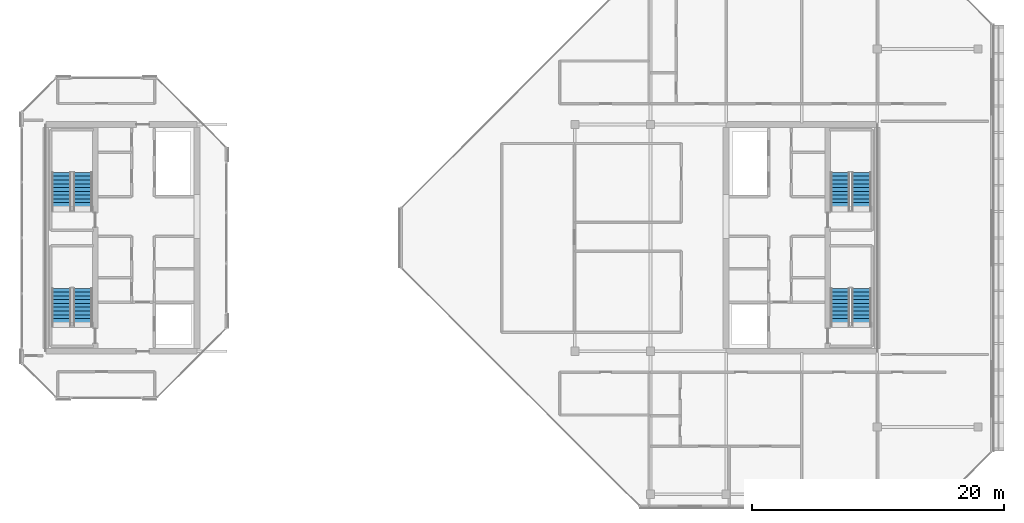
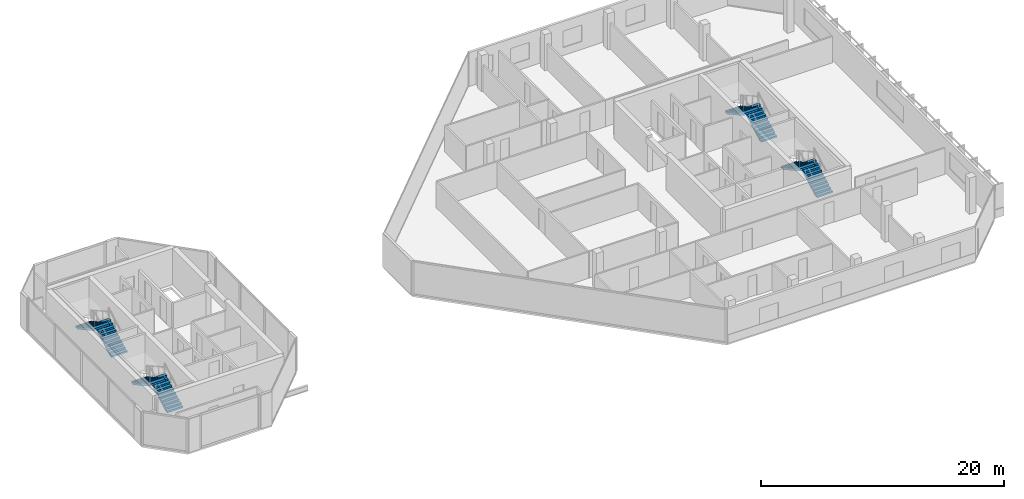
# One storey, part 25 of 28: 8 stair flights, 4 elements without a shape of their own.
"""IFC4 building model written with IfcOpenShell, lengths in metres."""

from ifc_helpers import new_model, si_unit, direction, frame, origin, place, context, subcontext, project, spatial, polyline, outline, extrude, material, type_object, element, aggregate, save


model = new_model("IFC4")

# Units and contexts
model_context = context("Model", 3, precision=1e-05, world=origin(), true_north=direction((0.0, 1.0)))
body_context = subcontext(model_context, "Body", "Model", "MODEL_VIEW")
ifc_project = project(units=[si_unit("LENGTHUNIT", "METRE"), si_unit("AREAUNIT", "SQUARE_METRE"), si_unit("VOLUMEUNIT", "CUBIC_METRE"), si_unit("PLANEANGLEUNIT", "RADIAN"), si_unit("MASSUNIT", "GRAM", prefix="KILO")], contexts=[model_context])

# Site, building, storey
site_placement = place(None, origin())
site = spatial("IfcSite", under=ifc_project, at=site_placement, CompositionType="ELEMENT")
building_placement = place(site_placement, origin())
building = spatial("IfcBuilding", under=site, at=building_placement, Name="Tanjung Sevakor Pilgrim Tower", CompositionType="ELEMENT")
storey_placement = place(building_placement, frame((0.0, 0.0, 246.179931640625)))
storey = spatial("IfcBuildingStorey", under=building, at=storey_placement, Name="L69", CompositionType="ELEMENT", Elevation=246.179931640625)

# Stair, stair flights
ifc_material_1 = material(Name="Concrete C40/50", Category="concrete")
stair_type = type_object("IfcStairType", Name="STAIR-ST-CR150", PredefinedType="HALF_TURN_STAIR", material=ifc_material_1)
stair_1_placement = place(storey_placement, origin())
stair_1 = element("IfcStair", 1, at=stair_1_placement, inside=storey, type_object=stair_type, Name="L69 West Core Exit Stair 1", PredefinedType="HALF_TURN_STAIR")
ifc_material_2 = material(Name="Concrete C40/50", Category="concrete")
stair_flight_type = type_object("IfcStairFlightType", Name="FLIGHT-ST-CR150", PredefinedType="STRAIGHT", material=ifc_material_2)
stair_flight_1_placement = place(storey_placement, frame((26.949951171875, 26.60009765625, 0.0), z_axis=(0.0, 0.0, 1.0), x_axis=(0.0, 1.0, 0.0)))
stair_flight_1 = element("IfcStairFlight", 2, at=stair_flight_1_placement, type_object=stair_flight_type, Name="TS-W1 flight 1", NumberOfRisers=11, NumberOfTreads=10, PredefinedType="STRAIGHT", RiserHeight=0.165, TreadLength=0.3, context=body_context, shape_type="SweptSolid", body=[
    extrude(outline(polyline([(0.0, 0.0), (0.0, 0.1650390625), (0.300048828125, 0.1650390625), (0.300048828125, 0.330078125), (0.60009765625, 0.330078125), (0.60009765625, 0.4951171875), (0.89990234375, 0.4951171875), (0.89990234375, 0.659912109375), (1.199951171875, 0.659912109375), (1.199951171875, 0.824951171875), (1.5, 0.824951171875), (1.5, 0.989990234375), (1.800048828125, 0.989990234375), (1.800048828125, 1.155029296875), (2.10009765625, 1.155029296875), (2.10009765625, 1.320068359375), (2.39990234375, 1.320068359375), (2.39990234375, 1.485107421875), (2.699951171875, 1.485107421875), (2.699951171875, 1.64990234375), (3.0, 1.64990234375), (3.0, 1.81494140625), (3.0, 1.467529296875), (0.331787109375, 0.0), (0.0, 0.0)])), frame((0.0, 0.75, 0.0), z_axis=(0.0, -1.0, 0.0), x_axis=(1.0, 0.0, 0.0)), (0.0, 0.0, 1.0), 1.5),
])
stair_flight_2_placement = place(storey_placement, frame((25.25, 29.60009765625, 1.815185546875), z_axis=(0.0, 0.0, 1.0), x_axis=(0.0, -1.0, 0.0)))
stair_flight_2 = element("IfcStairFlight", 3, at=stair_flight_2_placement, type_object=stair_flight_type, Name="TS-W1 flight 2", NumberOfRisers=11, NumberOfTreads=10, PredefinedType="STRAIGHT", RiserHeight=0.165, TreadLength=0.3, context=body_context, shape_type="SweptSolid", body=[
    extrude(outline(polyline([(0.0, 0.0), (0.0, 0.1650390625), (0.300048828125, 0.1650390625), (0.300048828125, 0.330078125), (0.60009765625, 0.330078125), (0.60009765625, 0.4951171875), (0.89990234375, 0.4951171875), (0.89990234375, 0.659912109375), (1.199951171875, 0.659912109375), (1.199951171875, 0.824951171875), (1.5, 0.824951171875), (1.5, 0.989990234375), (1.800048828125, 0.989990234375), (1.800048828125, 1.155029296875), (2.10009765625, 1.155029296875), (2.10009765625, 1.320068359375), (2.39990234375, 1.320068359375), (2.39990234375, 1.485107421875), (2.699951171875, 1.485107421875), (2.699951171875, 1.64990234375), (3.0, 1.64990234375), (3.0, 1.81494140625), (3.0, 1.467529296875), (0.331787109375, 0.0), (0.0, 0.0)])), frame((0.0, 0.75, 0.0), z_axis=(0.0, -1.0, 0.0), x_axis=(1.0, 0.0, 0.0)), (0.0, 0.0, 1.0), 1.5),
])
aggregate(stair_1, [stair_flight_1, stair_flight_2])

stair_2_placement = place(storey_placement, origin())
stair_2 = element("IfcStair", 4, at=stair_2_placement, inside=storey, type_object=stair_type, Name="L69 West Core Exit Stair 2", PredefinedType="HALF_TURN_STAIR")
stair_flight_3_placement = place(storey_placement, frame((26.949951171875, 35.800048828125, 0.0), z_axis=(0.0, 0.0, 1.0), x_axis=(0.0, 1.0, 0.0)))
stair_flight_3 = element("IfcStairFlight", 5, at=stair_flight_3_placement, type_object=stair_flight_type, Name="TS-W2 flight 1", NumberOfRisers=11, NumberOfTreads=10, PredefinedType="STRAIGHT", RiserHeight=0.165, TreadLength=0.3, context=body_context, shape_type="SweptSolid", body=[
    extrude(outline(polyline([(0.0, 0.0), (0.0, 0.1650390625), (0.300048828125, 0.1650390625), (0.300048828125, 0.330078125), (0.60009765625, 0.330078125), (0.60009765625, 0.4951171875), (0.89990234375, 0.4951171875), (0.89990234375, 0.659912109375), (1.199951171875, 0.659912109375), (1.199951171875, 0.824951171875), (1.5, 0.824951171875), (1.5, 0.989990234375), (1.800048828125, 0.989990234375), (1.800048828125, 1.155029296875), (2.10009765625, 1.155029296875), (2.10009765625, 1.320068359375), (2.39990234375, 1.320068359375), (2.39990234375, 1.485107421875), (2.699951171875, 1.485107421875), (2.699951171875, 1.64990234375), (3.0, 1.64990234375), (3.0, 1.81494140625), (3.0, 1.467529296875), (0.331787109375, 0.0), (0.0, 0.0)])), frame((0.0, 0.75, 0.0), z_axis=(0.0, -1.0, 0.0), x_axis=(1.0, 0.0, 0.0)), (0.0, 0.0, 1.0), 1.5),
])
stair_flight_4_placement = place(storey_placement, frame((25.25, 38.800048828125, 1.815185546875), z_axis=(0.0, 0.0, 1.0), x_axis=(0.0, -1.0, 0.0)))
stair_flight_4 = element("IfcStairFlight", 6, at=stair_flight_4_placement, type_object=stair_flight_type, Name="TS-W2 flight 2", NumberOfRisers=11, NumberOfTreads=10, PredefinedType="STRAIGHT", RiserHeight=0.165, TreadLength=0.3, context=body_context, shape_type="SweptSolid", body=[
    extrude(outline(polyline([(0.0, 0.0), (0.0, 0.1650390625), (0.300048828125, 0.1650390625), (0.300048828125, 0.330078125), (0.60009765625, 0.330078125), (0.60009765625, 0.4951171875), (0.89990234375, 0.4951171875), (0.89990234375, 0.659912109375), (1.199951171875, 0.659912109375), (1.199951171875, 0.824951171875), (1.5, 0.824951171875), (1.5, 0.989990234375), (1.800048828125, 0.989990234375), (1.800048828125, 1.155029296875), (2.10009765625, 1.155029296875), (2.10009765625, 1.320068359375), (2.39990234375, 1.320068359375), (2.39990234375, 1.485107421875), (2.699951171875, 1.485107421875), (2.699951171875, 1.64990234375), (3.0, 1.64990234375), (3.0, 1.81494140625), (3.0, 1.467529296875), (0.331787109375, 0.0), (0.0, 0.0)])), frame((0.0, 0.75, 0.0), z_axis=(0.0, -1.0, 0.0), x_axis=(1.0, 0.0, 0.0)), (0.0, 0.0, 1.0), 1.5),
])
aggregate(stair_2, [stair_flight_3, stair_flight_4])

stair_3_placement = place(storey_placement, origin())
stair_3 = element("IfcStair", 7, at=stair_3_placement, inside=storey, type_object=stair_type, Name="L69 East Core Exit Stair 1", PredefinedType="HALF_TURN_STAIR")
stair_flight_5_placement = place(storey_placement, frame((88.75, 26.60009765625, 0.0), z_axis=(0.0, 0.0, 1.0), x_axis=(0.0, 1.0, 0.0)))
stair_flight_5 = element("IfcStairFlight", 8, at=stair_flight_5_placement, type_object=stair_flight_type, Name="TS-E1 flight 1", NumberOfRisers=11, NumberOfTreads=10, PredefinedType="STRAIGHT", RiserHeight=0.165, TreadLength=0.3, context=body_context, shape_type="SweptSolid", body=[
    extrude(outline(polyline([(0.0, 0.0), (0.0, 0.1650390625), (0.300048828125, 0.1650390625), (0.300048828125, 0.330078125), (0.60009765625, 0.330078125), (0.60009765625, 0.4951171875), (0.89990234375, 0.4951171875), (0.89990234375, 0.659912109375), (1.199951171875, 0.659912109375), (1.199951171875, 0.824951171875), (1.5, 0.824951171875), (1.5, 0.989990234375), (1.800048828125, 0.989990234375), (1.800048828125, 1.155029296875), (2.10009765625, 1.155029296875), (2.10009765625, 1.320068359375), (2.39990234375, 1.320068359375), (2.39990234375, 1.485107421875), (2.699951171875, 1.485107421875), (2.699951171875, 1.64990234375), (3.0, 1.64990234375), (3.0, 1.81494140625), (3.0, 1.467529296875), (0.331787109375, 0.0), (0.0, 0.0)])), frame((0.0, 0.75, 0.0), z_axis=(0.0, -1.0, 0.0), x_axis=(1.0, 0.0, 0.0)), (0.0, 0.0, 1.0), 1.5),
])
stair_flight_6_placement = place(storey_placement, frame((87.050048828125, 29.60009765625, 1.815185546875), z_axis=(0.0, 0.0, 1.0), x_axis=(0.0, -1.0, 0.0)))
stair_flight_6 = element("IfcStairFlight", 9, at=stair_flight_6_placement, type_object=stair_flight_type, Name="TS-E1 flight 2", NumberOfRisers=11, NumberOfTreads=10, PredefinedType="STRAIGHT", RiserHeight=0.165, TreadLength=0.3, context=body_context, shape_type="SweptSolid", body=[
    extrude(outline(polyline([(0.0, 0.0), (0.0, 0.1650390625), (0.300048828125, 0.1650390625), (0.300048828125, 0.330078125), (0.60009765625, 0.330078125), (0.60009765625, 0.4951171875), (0.89990234375, 0.4951171875), (0.89990234375, 0.659912109375), (1.199951171875, 0.659912109375), (1.199951171875, 0.824951171875), (1.5, 0.824951171875), (1.5, 0.989990234375), (1.800048828125, 0.989990234375), (1.800048828125, 1.155029296875), (2.10009765625, 1.155029296875), (2.10009765625, 1.320068359375), (2.39990234375, 1.320068359375), (2.39990234375, 1.485107421875), (2.699951171875, 1.485107421875), (2.699951171875, 1.64990234375), (3.0, 1.64990234375), (3.0, 1.81494140625), (3.0, 1.467529296875), (0.331787109375, 0.0), (0.0, 0.0)])), frame((0.0, 0.75, 0.0), z_axis=(0.0, -1.0, 0.0), x_axis=(1.0, 0.0, 0.0)), (0.0, 0.0, 1.0), 1.5),
])
aggregate(stair_3, [stair_flight_5, stair_flight_6])

stair_4_placement = place(storey_placement, origin())
stair_4 = element("IfcStair", 10, at=stair_4_placement, inside=storey, type_object=stair_type, Name="L69 East Core Exit Stair 2", PredefinedType="HALF_TURN_STAIR")
stair_flight_7_placement = place(storey_placement, frame((88.75, 35.800048828125, 0.0), z_axis=(0.0, 0.0, 1.0), x_axis=(0.0, 1.0, 0.0)))
stair_flight_7 = element("IfcStairFlight", 11, at=stair_flight_7_placement, type_object=stair_flight_type, Name="TS-E2 flight 1", NumberOfRisers=11, NumberOfTreads=10, PredefinedType="STRAIGHT", RiserHeight=0.165, TreadLength=0.3, context=body_context, shape_type="SweptSolid", body=[
    extrude(outline(polyline([(0.0, 0.0), (0.0, 0.1650390625), (0.300048828125, 0.1650390625), (0.300048828125, 0.330078125), (0.60009765625, 0.330078125), (0.60009765625, 0.4951171875), (0.89990234375, 0.4951171875), (0.89990234375, 0.659912109375), (1.199951171875, 0.659912109375), (1.199951171875, 0.824951171875), (1.5, 0.824951171875), (1.5, 0.989990234375), (1.800048828125, 0.989990234375), (1.800048828125, 1.155029296875), (2.10009765625, 1.155029296875), (2.10009765625, 1.320068359375), (2.39990234375, 1.320068359375), (2.39990234375, 1.485107421875), (2.699951171875, 1.485107421875), (2.699951171875, 1.64990234375), (3.0, 1.64990234375), (3.0, 1.81494140625), (3.0, 1.467529296875), (0.331787109375, 0.0), (0.0, 0.0)])), frame((0.0, 0.75, 0.0), z_axis=(0.0, -1.0, 0.0), x_axis=(1.0, 0.0, 0.0)), (0.0, 0.0, 1.0), 1.5),
])
stair_flight_8_placement = place(storey_placement, frame((87.050048828125, 38.800048828125, 1.815185546875), z_axis=(0.0, 0.0, 1.0), x_axis=(0.0, -1.0, 0.0)))
stair_flight_8 = element("IfcStairFlight", 12, at=stair_flight_8_placement, type_object=stair_flight_type, Name="TS-E2 flight 2", NumberOfRisers=11, NumberOfTreads=10, PredefinedType="STRAIGHT", RiserHeight=0.165, TreadLength=0.3, context=body_context, shape_type="SweptSolid", body=[
    extrude(outline(polyline([(0.0, 0.0), (0.0, 0.1650390625), (0.300048828125, 0.1650390625), (0.300048828125, 0.330078125), (0.60009765625, 0.330078125), (0.60009765625, 0.4951171875), (0.89990234375, 0.4951171875), (0.89990234375, 0.659912109375), (1.199951171875, 0.659912109375), (1.199951171875, 0.824951171875), (1.5, 0.824951171875), (1.5, 0.989990234375), (1.800048828125, 0.989990234375), (1.800048828125, 1.155029296875), (2.10009765625, 1.155029296875), (2.10009765625, 1.320068359375), (2.39990234375, 1.320068359375), (2.39990234375, 1.485107421875), (2.699951171875, 1.485107421875), (2.699951171875, 1.64990234375), (3.0, 1.64990234375), (3.0, 1.81494140625), (3.0, 1.467529296875), (0.331787109375, 0.0), (0.0, 0.0)])), frame((0.0, 0.75, 0.0), z_axis=(0.0, -1.0, 0.0), x_axis=(1.0, 0.0, 0.0)), (0.0, 0.0, 1.0), 1.5),
])
aggregate(stair_4, [stair_flight_7, stair_flight_8])

save(model, "model.ifc")
